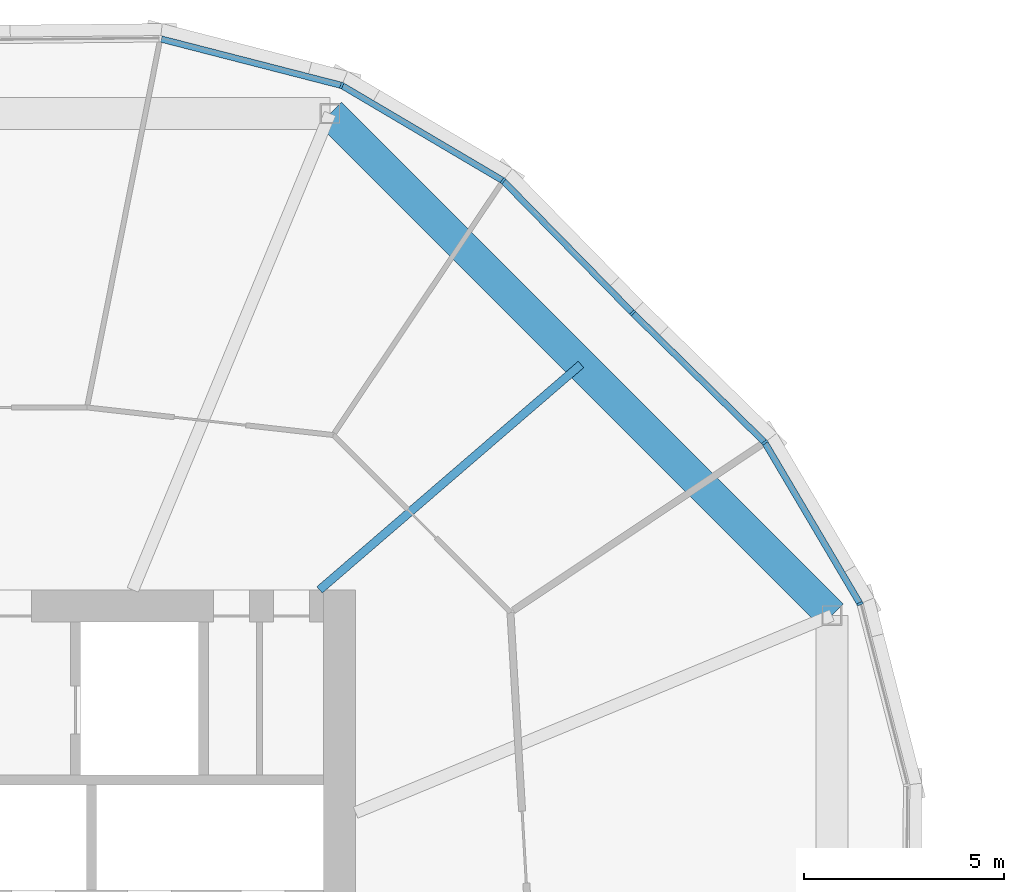
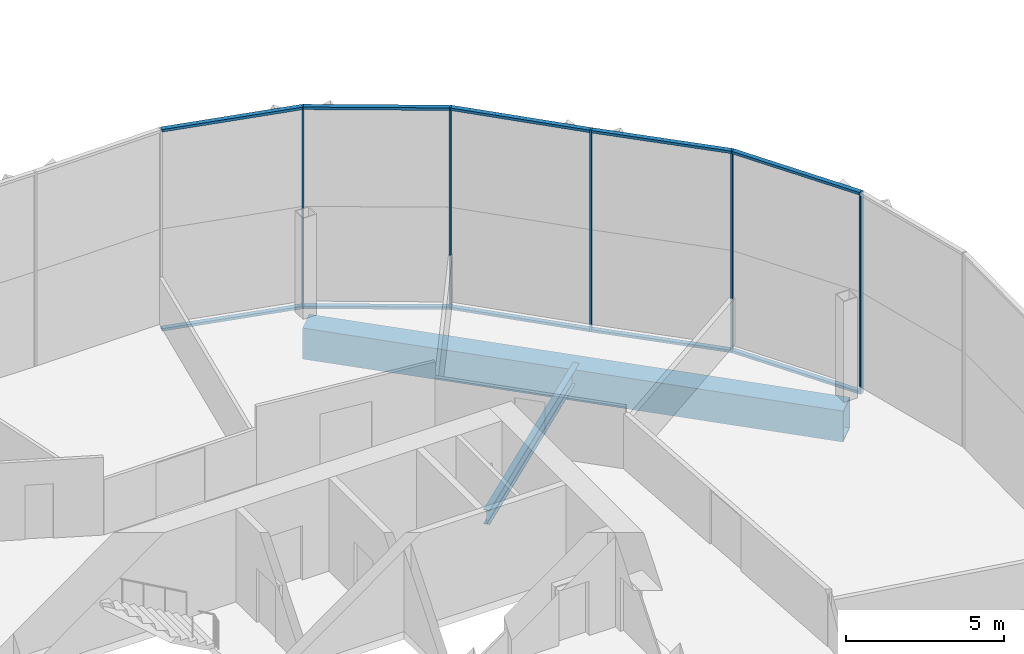
# One storey, part 8 of 31: 15 members, 2 beams, 2 elements without a shape of their own.
"""IFC4 building model written with IfcOpenShell, lengths in metres."""

from ifc_helpers import new_model, si_unit, direction, frame, origin, origin_2d, place, context, subcontext, project, spatial, rectangle, hollow_rectangle, i_section, extrude, material, material_profile, profile_set, type_object, element, aggregate, save


model = new_model("IFC4")

# Units and contexts
model_context = context("Model", 3, precision=1e-05, world=origin(), true_north=direction((0.0, 1.0)))
body_context = subcontext(model_context, "Body", "Model", "MODEL_VIEW")
ifc_project = project(units=[si_unit("LENGTHUNIT", "METRE"), si_unit("AREAUNIT", "SQUARE_METRE"), si_unit("VOLUMEUNIT", "CUBIC_METRE"), si_unit("PLANEANGLEUNIT", "RADIAN"), si_unit("MASSUNIT", "GRAM", prefix="KILO")], contexts=[model_context])

# Site, building, storey
site_placement = place(None, origin())
site = spatial("IfcSite", under=ifc_project, at=site_placement, CompositionType="ELEMENT")
building_placement = place(site_placement, origin())
building = spatial("IfcBuilding", under=site, at=building_placement, Name="Ogive Gate Towers", CompositionType="ELEMENT")
storey_placement = place(building_placement, frame((0.0, 0.0, 107.39990234375)))
storey = spatial("IfcBuildingStorey", under=building, at=storey_placement, Name="L25", CompositionType="ELEMENT", Elevation=107.39990234375)

# Beams
ifc_material_1 = material(Name="Steel SM460", Category="steel")
ifc_material_profile_1 = material_profile(ifc_material_1, hollow_rectangle(XDim=0.800048828125, YDim=1.199951171875, WallThickness=0.050048828125, at=origin_2d()), Name="BX 1200x800x50")
ifc_profile_set_1 = profile_set([ifc_material_profile_1], Name="Steel SM460")
beam_type_1 = type_object("IfcBeamType", Name="Edge girder BX 1200x800x50", PredefinedType="BEAM", material=ifc_profile_set_1)
beam_1_placement = place(storey_placement, frame((-14.60302734375, 8.863037109375, -0.89990234375), z_axis=(-0.707106781187, 0.707106781187, 0.0), x_axis=(-0.707106781187, -0.707106781187, 0.0)))
element("IfcBeam", 1, at=beam_1_placement, inside=storey, type_object=beam_type_1, Name="T1/L25/SBM021", PredefinedType="BEAM", context=body_context, shape_type="SweptSolid", body=[
    extrude(hollow_rectangle(XDim=0.800048828125, YDim=1.199951171875, WallThickness=0.050048828125, at=origin_2d()), origin(), (0.0, 0.0, 1.0), 17.7255859375),
])
ifc_material_2 = material(Name="Steel SM355", Category="steel")
ifc_material_profile_2 = material_profile(ifc_material_2, i_section(OverallWidth=0.2099609375, OverallDepth=0.550048828125, WebThickness=0.010986328125, FlangeThickness=0.01708984375, FilletRadius=0.02392578125, at=origin_2d()), Name="IPE 550")
ifc_profile_set_2 = profile_set([ifc_material_profile_2], Name="Steel SM355")
beam_type_2 = type_object("IfcBeamType", Name="Radial floor beam IPE 550", PredefinedType="BEAM", material=ifc_profile_set_2)
beam_2_placement = place(storey_placement, frame((-27.39990234375, 9.5, -0.574951171875), z_axis=(0.757366499315, 0.652990034928, 0.0), x_axis=(-0.652990034928, 0.757366499315, 0.0)))
element("IfcBeam", 2, at=beam_2_placement, inside=storey, type_object=beam_type_2, Name="T1/L25/SBM010", PredefinedType="BEAM", context=body_context, shape_type="SweptSolid", body=[
    extrude(i_section(OverallWidth=0.2099609375, OverallDepth=0.550048828125, WebThickness=0.010986328125, FlangeThickness=0.01708984375, FilletRadius=0.02392578125, at=origin_2d()), origin(), (0.0, 0.0, 1.0), 8.62158203125),
])

# Curtain wall, members
ifc_material_3 = material(Name="Pale metal aluminium", Category="aluminium")
curtain_wall_type = type_object("IfcCurtainWallType", Name="Tower unitised wall, low zone", PredefinedType="NOTDEFINED", material=ifc_material_3)
curtain_wall_1_placement = place(storey_placement, origin())
curtain_wall_1 = element("IfcCurtainWall", 3, at=curtain_wall_1_placement, inside=storey, type_object=curtain_wall_type, Name="CW1 T1 ECW01", PredefinedType="NOTDEFINED")
ifc_material_profile_3 = material_profile(ifc_material_3, rectangle(XDim=0.159912109375, YDim=0.06005859375, at=origin_2d()), Name="60 x 160 aluminium box")
ifc_profile_set_3 = profile_set([ifc_material_profile_3], Name="Pale metal aluminium")
member_type_1 = type_object("IfcMemberType", Name="Tower unitised wall, low zone mullion 60 x 160", PredefinedType="MULLION", material=ifc_profile_set_3)
member_1_placement = place(storey_placement, frame((-13.89990234375, 9.154052734375, -0.2998046875), z_axis=(0.0, 0.0, 1.0), x_axis=(0.923879532511, 0.382683432365, 0.0)))
member_1 = element("IfcMember", 4, at=member_1_placement, type_object=member_type_1, Name="CW1 mullion", PredefinedType="MULLION", context=body_context, shape_type="SweptSolid", body=[
    extrude(rectangle(XDim=0.159912109375, YDim=0.06005859375, at=origin_2d()), origin(), (0.0, 0.0, 1.0), 7.7998046875),
])
member_2_placement = place(storey_placement, frame((-16.280517578125, 13.18359375, -0.2998046875), z_axis=(0.0, 0.0, 1.0), x_axis=(0.787247231069, 0.616637492514, 0.0)))
member_2 = element("IfcMember", 5, at=member_2_placement, type_object=member_type_1, Name="CW1 mullion", PredefinedType="MULLION", context=body_context, shape_type="SweptSolid", body=[
    extrude(rectangle(XDim=0.159912109375, YDim=0.06005859375, at=origin_2d()), origin(), (0.0, 0.0, 1.0), 7.7998046875),
])
member_3_placement = place(storey_placement, frame((-19.580810546875, 16.4189453125, -0.2998046875), z_axis=(0.0, 0.0, 1.0), x_axis=(0.700062268192, 0.714081802495, 0.0)))
member_3 = element("IfcMember", 6, at=member_3_placement, type_object=member_type_1, Name="CW1 mullion", PredefinedType="MULLION", context=body_context, shape_type="SweptSolid", body=[
    extrude(rectangle(XDim=0.159912109375, YDim=0.06005859375, at=origin_2d()), origin(), (0.0, 0.0, 1.0), 7.7998046875),
])

curtain_wall_2_placement = place(storey_placement, origin())
curtain_wall_2 = element("IfcCurtainWall", 7, at=curtain_wall_2_placement, inside=storey, type_object=curtain_wall_type, Name="CW1 T1 ECW02", PredefinedType="NOTDEFINED")
member_4_placement = place(storey_placement, frame((-22.81640625, 19.719482421875, -0.2998046875), z_axis=(0.0, 0.0, 1.0), x_axis=(0.616637492514, 0.787247231069, 0.0)))
member_4 = element("IfcMember", 8, at=member_4_placement, type_object=member_type_1, Name="CW1 mullion", PredefinedType="MULLION", context=body_context, shape_type="SweptSolid", body=[
    extrude(rectangle(XDim=0.159912109375, YDim=0.06005859375, at=origin_2d()), origin(), (0.0, 0.0, 1.0), 7.7998046875),
])
member_5_placement = place(storey_placement, frame((-26.845947265625, 22.10009765625, -0.2998046875), z_axis=(0.0, 0.0, 1.0), x_axis=(0.382683432365, 0.923879532511, 0.0)))
member_5 = element("IfcMember", 9, at=member_5_placement, type_object=member_type_1, Name="CW1 mullion", PredefinedType="MULLION", context=body_context, shape_type="SweptSolid", body=[
    extrude(rectangle(XDim=0.159912109375, YDim=0.06005859375, at=origin_2d()), origin(), (0.0, 0.0, 1.0), 7.7998046875),
])

# Member
ifc_material_profile_4 = material_profile(ifc_material_3, rectangle(XDim=0.159912109375, YDim=0.10009765625, at=origin_2d()), Name="100 x 160 aluminium box")
ifc_profile_set_4 = profile_set([ifc_material_profile_4], Name="Pale metal aluminium")
member_type_2 = type_object("IfcMemberType", Name="Tower unitised wall, low zone transom 100 x 160", PredefinedType="USERDEFINED", material=ifc_profile_set_4)
member_6_placement = place(storey_placement, frame((-13.913818359375, 9.177490234375, 7.4501953125), z_axis=(-0.508654624087, 0.860970657685, 0.0), x_axis=(-0.860970657685, -0.508654624087, 0.0)))
member_6 = element("IfcMember", 10, at=member_6_placement, type_object=member_type_2, Name="CW1 transom", ObjectType="TRANSOM", PredefinedType="USERDEFINED", context=body_context, shape_type="SweptSolid", body=[
    extrude(rectangle(XDim=0.159912109375, YDim=0.10009765625, at=origin_2d()), origin(), (0.0, 0.0, 1.0), 4.62548828125),
])

member_7_placement = place(storey_placement, frame((-13.913818359375, 9.177490234375, -0.25), z_axis=(-0.508654624087, 0.860970657685, 0.0), x_axis=(-0.860970657685, -0.508654624087, 0.0)))
member_7 = element("IfcMember", 11, at=member_7_placement, type_object=member_type_2, Name="CW1 transom", ObjectType="TRANSOM", PredefinedType="USERDEFINED", context=body_context, shape_type="SweptSolid", body=[
    extrude(rectangle(XDim=0.159912109375, YDim=0.10009765625, at=origin_2d()), origin(), (0.0, 0.0, 1.0), 4.62548828125),
])

member_8_placement = place(storey_placement, frame((-16.300048828125, 13.20263671875, 7.4501953125), z_axis=(-0.714079130714, 0.700064993467, 0.0), x_axis=(-0.700064993467, -0.714079130714, 0.0)))
member_8 = element("IfcMember", 12, at=member_8_placement, type_object=member_type_2, Name="CW1 transom", ObjectType="TRANSOM", PredefinedType="USERDEFINED", context=body_context, shape_type="SweptSolid", body=[
    extrude(rectangle(XDim=0.159912109375, YDim=0.10009765625, at=origin_2d()), origin(), (0.0, 0.0, 1.0), 4.564208984375),
])

member_9_placement = place(storey_placement, frame((-16.300048828125, 13.20263671875, -0.25), z_axis=(-0.714079130714, 0.700064993467, 0.0), x_axis=(-0.700064993467, -0.714079130714, 0.0)))
member_9 = element("IfcMember", 13, at=member_9_placement, type_object=member_type_2, Name="CW1 transom", ObjectType="TRANSOM", PredefinedType="USERDEFINED", context=body_context, shape_type="SweptSolid", body=[
    extrude(rectangle(XDim=0.159912109375, YDim=0.10009765625, at=origin_2d()), origin(), (0.0, 0.0, 1.0), 4.564208984375),
])

aggregate(curtain_wall_1, [member_1, member_2, member_6, member_7, member_3, member_8, member_9])

member_10_placement = place(storey_placement, frame((-19.60205078125, 16.440673828125, 7.4501953125), z_axis=(-0.700064993467, 0.714079130714, 0.0), x_axis=(-0.714079130714, -0.700064993467, 0.0)))
member_10 = element("IfcMember", 14, at=member_10_placement, type_object=member_type_2, Name="CW1 transom", ObjectType="TRANSOM", PredefinedType="USERDEFINED", context=body_context, shape_type="SweptSolid", body=[
    extrude(rectangle(XDim=0.159912109375, YDim=0.10009765625, at=origin_2d()), origin(), (0.0, 0.0, 1.0), 4.564208984375),
])

member_11_placement = place(storey_placement, frame((-19.60205078125, 16.440673828125, -0.25), z_axis=(-0.700064993467, 0.714079130714, 0.0), x_axis=(-0.714079130714, -0.700064993467, 0.0)))
member_11 = element("IfcMember", 15, at=member_11_placement, type_object=member_type_2, Name="CW1 transom", ObjectType="TRANSOM", PredefinedType="USERDEFINED", context=body_context, shape_type="SweptSolid", body=[
    extrude(rectangle(XDim=0.159912109375, YDim=0.10009765625, at=origin_2d()), origin(), (0.0, 0.0, 1.0), 4.564208984375),
])

member_12_placement = place(storey_placement, frame((-22.840087890625, 19.7333984375, 7.4501953125), z_axis=(-0.860970657685, 0.508654624087, 0.0), x_axis=(-0.508654624087, -0.860970657685, 0.0)))
member_12 = element("IfcMember", 16, at=member_12_placement, type_object=member_type_2, Name="CW1 transom", ObjectType="TRANSOM", PredefinedType="USERDEFINED", context=body_context, shape_type="SweptSolid", body=[
    extrude(rectangle(XDim=0.159912109375, YDim=0.10009765625, at=origin_2d()), origin(), (0.0, 0.0, 1.0), 4.62548828125),
])

member_13_placement = place(storey_placement, frame((-22.840087890625, 19.7333984375, -0.25), z_axis=(-0.860970657685, 0.508654624087, 0.0), x_axis=(-0.508654624087, -0.860970657685, 0.0)))
member_13 = element("IfcMember", 17, at=member_13_placement, type_object=member_type_2, Name="CW1 transom", ObjectType="TRANSOM", PredefinedType="USERDEFINED", context=body_context, shape_type="SweptSolid", body=[
    extrude(rectangle(XDim=0.159912109375, YDim=0.10009765625, at=origin_2d()), origin(), (0.0, 0.0, 1.0), 4.62548828125),
])

member_14_placement = place(storey_placement, frame((-26.872314453125, 22.106689453125, 7.4501953125), z_axis=(-0.968468193221, 0.24913722869, 0.0), x_axis=(-0.24913722869, -0.968468193221, 0.0)))
member_14 = element("IfcMember", 18, at=member_14_placement, type_object=member_type_2, Name="CW1 transom", ObjectType="TRANSOM", PredefinedType="USERDEFINED", context=body_context, shape_type="SweptSolid", body=[
    extrude(rectangle(XDim=0.159912109375, YDim=0.10009765625, at=origin_2d()), origin(), (0.0, 0.0, 1.0), 4.625244140625),
])

member_15_placement = place(storey_placement, frame((-26.872314453125, 22.106689453125, -0.25), z_axis=(-0.968468193221, 0.24913722869, 0.0), x_axis=(-0.24913722869, -0.968468193221, 0.0)))
member_15 = element("IfcMember", 19, at=member_15_placement, type_object=member_type_2, Name="CW1 transom", ObjectType="TRANSOM", PredefinedType="USERDEFINED", context=body_context, shape_type="SweptSolid", body=[
    extrude(rectangle(XDim=0.159912109375, YDim=0.10009765625, at=origin_2d()), origin(), (0.0, 0.0, 1.0), 4.625244140625),
])

aggregate(curtain_wall_2, [member_4, member_10, member_11, member_5, member_12, member_13, member_14, member_15])

save(model, "model.ifc")
